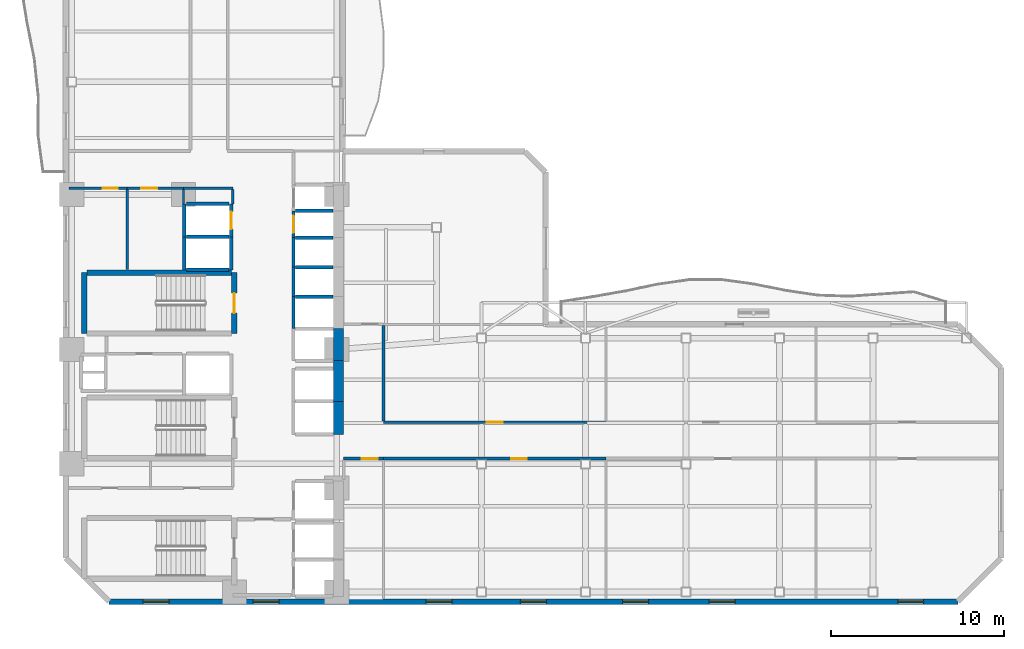
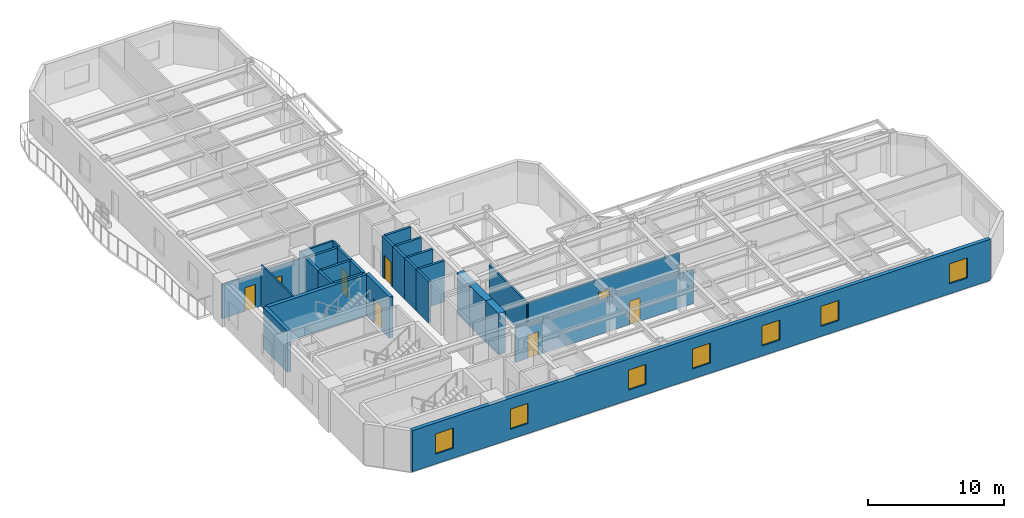
# One storey, part 4 of 10: 32 walls, 8 doors, 7 windows, 15 openings.
"""IFC4 building model written with IfcOpenShell, lengths in metres."""

import ifcopenshell
import ifcopenshell.guid

model = None  # the IFC model being written
_history = None  # IfcOwnerHistory: only IFC2X3 demands one
_inside = {}  # id of a spatial element -> (the spatial element, [elements in it])
_under = {}  # id of a project, library or spatial element -> (it, [spatial elements below it])
_declared = {}  # id of a project -> (the project, [libraries it declares])
_typed = {}  # id of a type object -> (the type object, [elements of that type])
_made_of = {}  # id of a material, layer set ... -> (it, [elements and type objects made of it])


def new_model(schema):
    """Start an empty IFC model of exactly this schema.

    Asked for "IFC4X3", IfcOpenShell would pick the latest addendum, in which some entities
    have other attributes; the version numbers below select the first issue.
    IFC2X3 requires an IfcOwnerHistory on every rooted entity: one is made here for all.
    """
    global model, _history
    if schema == "IFC4X3":
        model = ifcopenshell.file(schema_version=(4, 3, 0, 0))
    else:
        model = ifcopenshell.file(schema=schema)
    _inside.clear()
    _under.clear()
    _declared.clear()
    _typed.clear()
    _made_of.clear()
    _history = None
    if model.schema == "IFC2X3":
        org = make("IfcOrganization", Name="unknown")
        user = make(
            "IfcPersonAndOrganization",
            ThePerson=make("IfcPerson", FamilyName="unknown"),
            TheOrganization=org,
        )
        app = make(
            "IfcApplication",
            ApplicationDeveloper=org,
            Version="unknown",
            ApplicationFullName="unknown",
            ApplicationIdentifier="unknown",
        )
        _history = make(
            "IfcOwnerHistory",
            OwningUser=user,
            OwningApplication=app,
            ChangeAction="ADDED",
            CreationDate=0,
        )
    return model


def make(cls, **values):
    """One entity of the class cls with the attributes given. An attribute that is None is left unset."""
    return model.create_entity(
        cls, **{name: value for name, value in values.items() if value is not None}
    )


def rooted(cls, **values):
    """An entity with a GlobalId (a new one), such as an element, a storey or a relation."""
    return make(cls, GlobalId=ifcopenshell.guid.new(), OwnerHistory=_history, **values)


def si_unit(unit_type, name, prefix=None):
    """IfcSIUnit, for example si_unit("LENGTHUNIT", "METRE", prefix="MILLI")."""
    return make("IfcSIUnit", UnitType=unit_type, Prefix=prefix, Name=name)


def assignment(units):
    """IfcUnitAssignment: the units of a project."""
    return None if units is None else make("IfcUnitAssignment", Units=units)


def point(xyz):
    """IfcCartesianPoint."""
    return None if xyz is None else make("IfcCartesianPoint", Coordinates=xyz)


def direction(xyz):
    """IfcDirection."""
    return None if xyz is None else make("IfcDirection", DirectionRatios=xyz)


def frame(location, z_axis=None, x_axis=None):
    """IfcAxis2Placement3D, a coordinate frame: its origin and axes. An axis left out is left unset."""
    return make(
        "IfcAxis2Placement3D",
        Location=point(location),
        Axis=direction(z_axis),
        RefDirection=direction(x_axis),
    )


def frame_2d(location, x_axis=None):
    """IfcAxis2Placement2D, a coordinate frame in the plane: its origin and x axis."""
    return make(
        "IfcAxis2Placement2D", Location=point(location), RefDirection=direction(x_axis)
    )


def origin():
    """The frame at (0, 0, 0) with its axes left unset."""
    return frame((0.0, 0.0, 0.0))


def place(relative_to, where):
    """IfcLocalPlacement: puts the frame where relative to a parent placement (None: the world)."""
    return make(
        "IfcLocalPlacement", PlacementRelTo=relative_to, RelativePlacement=where
    )


def context(
    kind, dimensions, precision=None, world=None, true_north=None, identifier=None
):
    """IfcGeometricRepresentationContext, for example the 3D "Model" context."""
    return make(
        "IfcGeometricRepresentationContext",
        ContextIdentifier=identifier,
        ContextType=kind,
        CoordinateSpaceDimension=dimensions,
        Precision=precision,
        WorldCoordinateSystem=world,
        TrueNorth=true_north,
    )


def subcontext(parent, identifier, kind, view, scale=None):
    """IfcGeometricRepresentationSubContext, for example "Body" below "Model"."""
    return make(
        "IfcGeometricRepresentationSubContext",
        ContextIdentifier=identifier,
        ContextType=kind,
        ParentContext=parent,
        TargetScale=scale,
        TargetView=view,
    )


def project(units=None, contexts=None):
    """IfcProject with its units and contexts."""
    return rooted(
        "IfcProject",
        Name="project",
        RepresentationContexts=contexts,
        UnitsInContext=assignment(units),
    )


def spatial(cls, under=None, at=None, **own):
    """A site, building, storey or space (cls), placed at a placement, below another one or the project."""
    s = rooted(cls, ObjectPlacement=at, **own)
    if under is not None:
        _under.setdefault(under.id(), (under, []))[1].append(s)
    return s


def profile(cls, at=None, kind="AREA", **sizes):
    """A parametric profile (cls). Its sizes go by their IFC names, for example OverallWidth=200.0."""
    return make(cls, ProfileType=kind, Position=at, **sizes)


def rectangle(**sizes):
    """IfcRectangleProfileDef."""
    return profile("IfcRectangleProfileDef", **sizes)


def extrude(swept, where, along, depth):
    """IfcExtrudedAreaSolid: the profile swept, set in the frame where, extruded along a direction by depth."""
    return make(
        "IfcExtrudedAreaSolid",
        SweptArea=swept,
        Position=where,
        ExtrudedDirection=direction(along),
        Depth=depth,
    )


def shape(context_of_items, identifier, shape_type, items):
    """IfcShapeRepresentation: the items that make up one representation, for example the "Body"."""
    return make(
        "IfcShapeRepresentation",
        ContextOfItems=context_of_items,
        RepresentationIdentifier=identifier,
        RepresentationType=shape_type,
        Items=items,
    )


def material(Name=None, Category=None):
    """IfcMaterial."""
    return make("IfcMaterial", Name=Name, Category=Category)


def layer(
    of_material, thickness, ventilated=None, Name=None, Category=None, Priority=None
):
    """IfcMaterialLayer: one layer of a wall or slab, of a material (None: an air gap)."""
    return make(
        "IfcMaterialLayer",
        Material=of_material,
        LayerThickness=thickness,
        IsVentilated=ventilated,
        Name=Name,
        Category=Category,
        Priority=Priority,
    )


def layer_set(layers, Name=None):
    """IfcMaterialLayerSet."""
    return make("IfcMaterialLayerSet", MaterialLayers=layers, LayerSetName=Name)


def made_of(thing, what):
    """Note that an element or type object is made of a material, layer set ...; save() writes the relation."""
    if what is not None:
        _made_of.setdefault(what.id(), (what, []))[1].append(thing)
    return thing


def type_object(cls, material=None, **own):
    """A type object (cls), such as IfcWallType, which elements share."""
    return made_of(rooted(cls, **own), material)


def element(
    cls,
    number,
    at=None,
    inside=None,
    cuts=None,
    type_object=None,
    material=None,
    context=None,
    identifier="Body",
    shape_type=None,
    held_by="IfcProductDefinitionShape",
    body=None,
    shapes=None,
    **own,
):
    """One element of the class cls, such as IfcWall. Its Tag is "e" and its number.

    at: its placement. inside: the storey or other place that contains it. cuts: it is an
    opening in that element (IfcRelVoidsElement). A single representation is given by context,
    identifier, shape_type and body (its items); several are given by shapes. held_by: the class
    of the entity that holds the representations. save() writes the other relations.
    """
    e = rooted(cls, Tag="e%d" % number, ObjectPlacement=at, **own)
    if body is not None:
        shapes = [shape(context, identifier, shape_type, body)]
    if shapes is not None:
        e.Representation = make(held_by, Representations=shapes)
    if inside is not None:
        _inside.setdefault(inside.id(), (inside, []))[1].append(e)
    if cuts is not None:
        rooted(
            "IfcRelVoidsElement", RelatingBuildingElement=cuts, RelatedOpeningElement=e
        )
    if type_object is not None:
        _typed.setdefault(type_object.id(), (type_object, []))[1].append(e)
    return made_of(e, material)


def fill(opening, filler):
    """IfcRelFillsElement: the door or window that sits in an opening."""
    return rooted(
        "IfcRelFillsElement",
        RelatingOpeningElement=opening,
        RelatedBuildingElement=filler,
    )


def aggregate(whole, parts):
    """IfcRelAggregates: a whole, such as a stair, and the parts it consists of."""
    return rooted("IfcRelAggregates", RelatingObject=whole, RelatedObjects=parts)


def save(model, path):
    """Write the relations noted so far, then the file.

    IfcRelAggregates (storeys below a building ...), IfcRelContainedInSpatialStructure (elements
    in a storey), IfcRelDefinesByType, IfcRelAssociatesMaterial and IfcRelDeclares: one each for
    every whole, place, type object, material and project.
    """
    for whole, parts in _under.values():
        aggregate(whole, parts)
    for where, things in _inside.values():
        rooted(
            "IfcRelContainedInSpatialStructure",
            RelatedElements=things,
            RelatingStructure=where,
        )
    for kind, things in _typed.values():
        rooted("IfcRelDefinesByType", RelatedObjects=things, RelatingType=kind)
    for what, things in _made_of.values():
        rooted("IfcRelAssociatesMaterial", RelatedObjects=things, RelatingMaterial=what)
    for by, libraries in _declared.values():
        rooted("IfcRelDeclares", RelatingContext=by, RelatedDefinitions=libraries)
    model.write(path)


model = new_model("IFC4")

# Units and contexts
model_context = context("Model", 3, precision=1e-05, world=origin(), true_north=direction((0.0, 1.0)))
body_context = subcontext(model_context, "Body", "Model", "MODEL_VIEW")
ifc_project = project(units=[si_unit("LENGTHUNIT", "METRE"), si_unit("AREAUNIT", "SQUARE_METRE"), si_unit("VOLUMEUNIT", "CUBIC_METRE"), si_unit("PLANEANGLEUNIT", "RADIAN"), si_unit("MASSUNIT", "GRAM", prefix="KILO")], contexts=[model_context])

# Site, building, storey
site_placement = place(None, origin())
site = spatial("IfcSite", under=ifc_project, at=site_placement, CompositionType="ELEMENT")
building_placement = place(site_placement, origin())
building = spatial("IfcBuilding", under=site, at=building_placement, Name="Mawjaban Terraces University", CompositionType="ELEMENT")
storey_placement = place(building_placement, frame((0.0, 0.0, 73.89990234375)))
storey = spatial("IfcBuildingStorey", under=building, at=storey_placement, Name="L17", CompositionType="ELEMENT", Elevation=73.89990234375)

# Walls
ifc_material_1 = material(Name="Concrete C70/85", Category="concrete")
ifc_layer_1 = layer(ifc_material_1, 0.60009765625)
ifc_layer_set_1 = layer_set([ifc_layer_1], Name="Concrete C70/85")
wall_type_1 = type_object("IfcWallType", Name="CoreShearWall_600", PredefinedType="SHEAR", material=ifc_layer_set_1)
wall_1_placement = place(storey_placement, frame((37.75, 9.64990234375, 0.0), z_axis=(0.0, 0.0, 1.0), x_axis=(0.0, 1.0, 0.0)))
element("IfcWall", 1, at=wall_1_placement, inside=storey, type_object=wall_type_1, Name="L17 Lift PL-H1 Hoistway Wall East", PredefinedType="SHEAR", context=body_context, shape_type="SweptSolid", body=[
    extrude(rectangle(XDim=1.900146484375, YDim=0.60009765625, at=frame_2d((0.9501953125, 0.0))), origin(), (0.0, 0.0, 1.0), 3.690185546875),
])
wall_2_placement = place(storey_placement, frame((37.75, 11.550048828125, 0.0), z_axis=(0.0, 0.0, 1.0), x_axis=(0.0, 1.0, 0.0)))
element("IfcWall", 2, at=wall_2_placement, inside=storey, type_object=wall_type_1, Name="L17 Lift PL-H2 Hoistway Wall East", PredefinedType="SHEAR", context=body_context, shape_type="SweptSolid", body=[
    extrude(rectangle(XDim=2.349853515625, YDim=0.60009765625, at=frame_2d((1.1748046875, 0.0))), origin(), (0.0, 0.0, 1.0), 3.690185546875),
])
wall_3_placement = place(storey_placement, frame((37.75, 13.89990234375, 0.0), z_axis=(0.0, 0.0, 1.0), x_axis=(0.0, 1.0, 0.0)))
element("IfcWall", 3, at=wall_3_placement, inside=storey, type_object=wall_type_1, Name="L17 Lift OL-1 Hoistway Wall East", PredefinedType="SHEAR", context=body_context, shape_type="SweptSolid", body=[
    extrude(rectangle(XDim=1.85009765625, YDim=0.60009765625, at=frame_2d((0.925048828125, 0.0))), origin(), (0.0, 0.0, 1.0), 3.690185546875),
])

# Wall, opening, door
ifc_material_2 = material(Name="Fire-rated gypsum board on steel stud", Category="steel")
ifc_layer_2 = layer(ifc_material_2, 0.159912109375)
ifc_layer_set_2 = layer_set([ifc_layer_2], Name="Fire-rated gypsum board on steel stud")
wall_type_2 = type_object("IfcWallType", Name="CorridorPartition_160", PredefinedType="PARTITIONING", material=ifc_layer_set_2)
wall_4_placement = place(storey_placement, frame((25.550048828125, 23.85009765625, 0.0), z_axis=(0.0, 0.0, 1.0), x_axis=(-1.0, 0.0, 0.0)))
wall_4 = element("IfcWall", 4, at=wall_4_placement, inside=storey, type_object=wall_type_2, Name="L17 Female Toilet Partition 3", PredefinedType="PARTITIONING", context=body_context, shape_type="SweptSolid", body=[
    extrude(rectangle(XDim=3.35009765625, YDim=0.159912109375, at=frame_2d((1.675048828125, 0.0))), origin(), (0.0, 0.0, 1.0), 3.05517578125),
])
opening_1_placement = place(wall_4_placement, frame((0.534912109375, 0.0, 0.0)))
opening_1 = element("IfcOpeningElement", 5, at=opening_1_placement, cuts=wall_4, Name="Opening ID-088", PredefinedType="OPENING", context=body_context, shape_type="SweptSolid", body=[
    extrude(rectangle(XDim=0.8798828125, YDim=2.10009765625, at=frame_2d((0.43994140625, 1.050048828125))), frame((0.0, 0.08984375, 0.0), z_axis=(0.0, -1.0, 0.0), x_axis=(1.0, 0.0, 0.0)), (0.0, 0.0, 1.0), 0.179931640625),
])
ifc_material_3 = material(Name="Powder-coated steel frame and solid acoustic timber leaf", Category="steel")
door_type_1 = type_object("IfcDoorType", Name="ToiletDoor_880x2100", OperationType="NOTDEFINED", PredefinedType="DOOR", material=ifc_material_3)
door_1_placement = place(opening_1_placement, origin())
door_1 = element("IfcDoor", 6, at=door_1_placement, inside=storey, type_object=door_type_1, Name="L17 Female Toilet Door", OperationType="SINGLE_SWING_LEFT", OverallHeight=2.10009765625, OverallWidth=0.8798828125, PredefinedType="DOOR", context=body_context, shape_type="SweptSolid", body=[
    extrude(rectangle(XDim=0.8798828125, YDim=2.10009765625, at=frame_2d((0.43994140625, 1.050048828125))), frame((0.0, 0.02490234375, 0.0), z_axis=(0.0, -1.0, 0.0), x_axis=(1.0, 0.0, 0.0)), (0.0, 0.0, 1.0), 0.050048828125),
])
fill(opening_1, door_1)

wall_5_placement = place(storey_placement, frame((28.800048828125, 23.85009765625, 0.0), z_axis=(0.0, 0.0, 1.0), x_axis=(-1.0, 0.0, 0.0)))
wall_5 = element("IfcWall", 7, at=wall_5_placement, inside=storey, type_object=wall_type_2, Name="L17 Staff Tea Pantry Partition 5", PredefinedType="PARTITIONING", context=body_context, shape_type="SweptSolid", body=[
    extrude(rectangle(XDim=3.25, YDim=0.159912109375, at=frame_2d((1.625, 0.0))), origin(), (0.0, 0.0, 1.0), 3.05517578125),
])
opening_2_placement = place(wall_5_placement, frame((1.52490234375, 0.0, 0.0)))
opening_2 = element("IfcOpeningElement", 8, at=opening_2_placement, cuts=wall_5, Name="Opening ID-090", PredefinedType="OPENING", context=body_context, shape_type="SweptSolid", body=[
    extrude(rectangle(XDim=0.89990234375, YDim=2.10009765625, at=frame_2d((0.449951171875, 1.050048828125))), frame((0.0, 0.08984375, 0.0), z_axis=(0.0, -1.0, 0.0), x_axis=(1.0, 0.0, 0.0)), (0.0, 0.0, 1.0), 0.179931640625),
])
door_type_2 = type_object("IfcDoorType", Name="OfficeDoor_900x2100", OperationType="NOTDEFINED", PredefinedType="DOOR", material=ifc_material_3)
door_2_placement = place(opening_2_placement, origin())
door_2 = element("IfcDoor", 9, at=door_2_placement, inside=storey, type_object=door_type_2, Name="L17 Staff Tea Pantry Door", OperationType="SINGLE_SWING_RIGHT", OverallHeight=2.10009765625, OverallWidth=0.89990234375, PredefinedType="DOOR", context=body_context, shape_type="SweptSolid", body=[
    extrude(rectangle(XDim=0.89990234375, YDim=2.10009765625, at=frame_2d((0.449951171875, 1.050048828125))), frame((0.0, 0.02490234375, 0.0), z_axis=(0.0, -1.0, 0.0), x_axis=(1.0, 0.0, 0.0)), (0.0, 0.0, 1.0), 0.050048828125),
])
fill(opening_2, door_2)

# Wall
wall_6_placement = place(storey_placement, frame((28.800048828125, 23.85009765625, 0.0), z_axis=(0.0, 0.0, 1.0), x_axis=(1.0, 0.0, 0.0)))
element("IfcWall", 10, at=wall_6_placement, inside=storey, type_object=wall_type_2, Name="L17 North Core Cross-Corridor Partition 6", PredefinedType="PARTITIONING", context=body_context, shape_type="SweptSolid", body=[
    extrude(rectangle(XDim=2.849853515625, YDim=0.159912109375, at=frame_2d((1.4248046875, 0.0))), origin(), (0.0, 0.0, 1.0), 3.690185546875),
])

# Wall, opening, door
wall_7_placement = place(storey_placement, frame((38.050048828125, 8.25, 0.0), z_axis=(0.0, 0.0, 1.0), x_axis=(1.0, 0.0, 0.0)))
wall_7 = element("IfcWall", 11, at=wall_7_placement, inside=storey, type_object=wall_type_2, Name="L17 East Academic Corridor Vestibule Partition 13", PredefinedType="PARTITIONING", context=body_context, shape_type="SweptSolid", body=[
    extrude(rectangle(XDim=2.300048828125, YDim=0.159912109375, at=frame_2d((1.14990234375, 0.0))), origin(), (0.0, 0.0, 1.0), 3.05517578125),
])
opening_3_placement = place(wall_7_placement, frame((1.050048828125, 0.0, 0.0)))
opening_3 = element("IfcOpeningElement", 12, at=opening_3_placement, cuts=wall_7, Name="Opening ID-090", PredefinedType="OPENING", context=body_context, shape_type="SweptSolid", body=[
    extrude(rectangle(XDim=0.89990234375, YDim=2.10009765625, at=frame_2d((0.449951171875, 1.050048828125))), frame((0.0, 0.08984375, 0.0), z_axis=(0.0, -1.0, 0.0), x_axis=(1.0, 0.0, 0.0)), (0.0, 0.0, 1.0), 0.179931640625),
])
door_3_placement = place(opening_3_placement, origin())
door_3 = element("IfcDoor", 13, at=door_3_placement, inside=storey, type_object=door_type_2, Name="L17 Collaborative Study Room 1 Door", OperationType="SINGLE_SWING_LEFT", OverallHeight=2.10009765625, OverallWidth=0.89990234375, PredefinedType="DOOR", context=body_context, shape_type="SweptSolid", body=[
    extrude(rectangle(XDim=0.89990234375, YDim=2.10009765625, at=frame_2d((0.449951171875, 1.050048828125))), frame((0.0, 0.02490234375, 0.0), z_axis=(0.0, -1.0, 0.0), x_axis=(1.0, 0.0, 0.0)), (0.0, 0.0, 1.0), 0.050048828125),
])
fill(opening_3, door_3)

wall_8_placement = place(storey_placement, frame((40.35009765625, 8.25, 0.0), z_axis=(0.0, 0.0, 1.0), x_axis=(1.0, 0.0, 0.0)))
wall_8 = element("IfcWall", 14, at=wall_8_placement, inside=storey, type_object=wall_type_2, Name="L17 East Academic Spine Corridor Partition 14", PredefinedType="PARTITIONING", context=body_context, shape_type="SweptSolid", body=[
    extrude(rectangle(XDim=12.829833984375, YDim=0.159912109375, at=frame_2d((6.4150390625, 0.0))), origin(), (0.0, 0.0, 1.0), 3.05517578125),
])
opening_4_placement = place(wall_8_placement, frame((7.364990234375, 0.0, 0.0)))
opening_4 = element("IfcOpeningElement", 15, at=opening_4_placement, cuts=wall_8, Name="Opening ID-090", PredefinedType="OPENING", context=body_context, shape_type="SweptSolid", body=[
    extrude(rectangle(XDim=0.89990234375, YDim=2.10009765625, at=frame_2d((0.449951171875, 1.050048828125))), frame((0.0, 0.08984375, 0.0), z_axis=(0.0, -1.0, 0.0), x_axis=(1.0, 0.0, 0.0)), (0.0, 0.0, 1.0), 0.179931640625),
])
door_4_placement = place(opening_4_placement, origin())
door_4 = element("IfcDoor", 16, at=door_4_placement, inside=storey, type_object=door_type_2, Name="L17 Graduate Study Lounge 2 Door", OperationType="SINGLE_SWING_RIGHT", OverallHeight=2.10009765625, OverallWidth=0.89990234375, PredefinedType="DOOR", context=body_context, shape_type="SweptSolid", body=[
    extrude(rectangle(XDim=0.89990234375, YDim=2.10009765625, at=frame_2d((0.449951171875, 1.050048828125))), frame((0.0, 0.02490234375, 0.0), z_axis=(0.0, -1.0, 0.0), x_axis=(1.0, 0.0, 0.0)), (0.0, 0.0, 1.0), 0.050048828125),
])
fill(opening_4, door_4)

wall_9_placement = place(storey_placement, frame((53.179931640625, 10.35009765625, 0.0), z_axis=(0.0, 0.0, 1.0), x_axis=(-1.0, 0.0, 0.0)))
wall_9 = element("IfcWall", 17, at=wall_9_placement, inside=storey, type_object=wall_type_2, Name="L17 East Academic Spine Corridor Partition 18", PredefinedType="PARTITIONING", context=body_context, shape_type="SweptSolid", body=[
    extrude(rectangle(XDim=12.829833984375, YDim=0.159912109375, at=frame_2d((6.4150390625, 0.0))), origin(), (0.0, 0.0, 1.0), 3.277099609375),
])
opening_5_placement = place(wall_9_placement, frame((5.965087890625, 0.0, 0.0)))
opening_5 = element("IfcOpeningElement", 18, at=opening_5_placement, cuts=wall_9, Name="Opening ID-090", PredefinedType="OPENING", context=body_context, shape_type="SweptSolid", body=[
    extrude(rectangle(XDim=0.89990234375, YDim=2.10009765625, at=frame_2d((0.449951171875, 1.050048828125))), frame((0.0, 0.08984375, 0.0), z_axis=(0.0, -1.0, 0.0), x_axis=(1.0, 0.0, 0.0)), (0.0, 0.0, 1.0), 0.179931640625),
])
door_5_placement = place(opening_5_placement, origin())
door_5 = element("IfcDoor", 19, at=door_5_placement, inside=storey, type_object=door_type_2, Name="L17 Collaborative Study Room 3 Door", OperationType="SINGLE_SWING_LEFT", OverallHeight=2.10009765625, OverallWidth=0.89990234375, PredefinedType="DOOR", context=body_context, shape_type="SweptSolid", body=[
    extrude(rectangle(XDim=0.89990234375, YDim=2.10009765625, at=frame_2d((0.449951171875, 1.050048828125))), frame((0.0, 0.02490234375, 0.0), z_axis=(0.0, -1.0, 0.0), x_axis=(1.0, 0.0, 0.0)), (0.0, 0.0, 1.0), 0.050048828125),
])
fill(opening_5, door_5)

# Walls
wall_10_placement = place(storey_placement, frame((31.64990234375, 23.77490234375, 0.0), z_axis=(0.0, 0.0, 1.0), x_axis=(0.0, -1.0, 0.0)))
element("IfcWall", 20, at=wall_10_placement, inside=storey, type_object=wall_type_2, Name="L17 Passenger Lift Lobby Partition 29", PredefinedType="PARTITIONING", context=body_context, shape_type="SweptSolid", body=[
    extrude(rectangle(XDim=0.824951171875, YDim=0.159912109375, at=frame_2d((0.41259765625, 0.0))), origin(), (0.0, 0.0, 1.0), 3.690185546875),
])
wall_11_placement = place(storey_placement, frame((40.35009765625, 10.425048828125, 0.0), z_axis=(0.0, 0.0, 1.0), x_axis=(0.0, 1.0, 0.0)))
element("IfcWall", 21, at=wall_11_placement, inside=storey, type_object=wall_type_2, Name="L17 East Academic Corridor Vestibule Partition 34", PredefinedType="PARTITIONING", context=body_context, shape_type="SweptSolid", body=[
    extrude(rectangle(XDim=5.5, YDim=0.159912109375, at=frame_2d((2.75, 0.0))), origin(), (0.0, 0.0, 1.0), 3.277099609375),
])

# Wall, openings, windows
ifc_material_4 = material(Name="Insulated terracotta rainscreen on concrete backup C40/50", Category="masonry")
ifc_layer_3 = layer(ifc_material_4, 0.320068359375)
ifc_layer_set_3 = layer_set([ifc_layer_3], Name="Insulated terracotta rainscreen on concrete backup C40/50")
wall_type_3 = type_object("IfcWallType", Name="ExtTerracottaWall_320", PredefinedType="SOLIDWALL", material=ifc_layer_set_3)
wall_12_placement = place(storey_placement, frame((24.5, 0.0, 0.0), z_axis=(0.0, 0.0, 1.0), x_axis=(1.0, 0.0, 0.0)))
wall_12 = element("IfcWall", 22, at=wall_12_placement, inside=storey, type_object=wall_type_3, Name="L17 Exterior Terracotta Wall 1", PredefinedType="SOLIDWALL", context=body_context, shape_type="SweptSolid", body=[
    extrude(rectangle(XDim=49.0, YDim=0.320068359375, at=frame_2d((24.5, 0.0))), origin(), (0.0, 0.0, 1.0), 3.690185546875),
])
opening_6_placement = place(wall_12_placement, frame((1.971923828125, 0.0, 0.89990234375)))
opening_6 = element("IfcOpeningElement", 23, at=opening_6_placement, cuts=wall_12, Name="Opening W-06", PredefinedType="OPENING", context=body_context, shape_type="SweptSolid", body=[
    extrude(rectangle(XDim=1.5, YDim=1.800048828125, at=frame_2d((0.75, 0.89990234375))), frame((0.0, 0.169921875, 0.0), z_axis=(0.0, -1.0, 0.0), x_axis=(1.0, 0.0, 0.0)), (0.0, 0.0, 1.0), 0.340087890625),
])
opening_7_placement = place(wall_12_placement, frame((8.31689453125, 0.0, 0.89990234375)))
opening_7 = element("IfcOpeningElement", 24, at=opening_7_placement, cuts=wall_12, Name="Opening W-06", PredefinedType="OPENING", context=body_context, shape_type="SweptSolid", body=[
    extrude(rectangle(XDim=1.5, YDim=1.800048828125, at=frame_2d((0.75, 0.89990234375))), frame((0.0, 0.169921875, 0.0), z_axis=(0.0, -1.0, 0.0), x_axis=(1.0, 0.0, 0.0)), (0.0, 0.0, 1.0), 0.340087890625),
])
opening_8_placement = place(wall_12_placement, frame((18.305908203125, 0.0, 0.89990234375)))
opening_8 = element("IfcOpeningElement", 25, at=opening_8_placement, cuts=wall_12, Name="Opening W-06", PredefinedType="OPENING", context=body_context, shape_type="SweptSolid", body=[
    extrude(rectangle(XDim=1.5, YDim=1.800048828125, at=frame_2d((0.75, 0.89990234375))), frame((0.0, 0.169921875, 0.0), z_axis=(0.0, -1.0, 0.0), x_axis=(1.0, 0.0, 0.0)), (0.0, 0.0, 1.0), 0.340087890625),
])
opening_9_placement = place(wall_12_placement, frame((23.75, 0.0, 0.89990234375)))
opening_9 = element("IfcOpeningElement", 26, at=opening_9_placement, cuts=wall_12, Name="Opening W-06", PredefinedType="OPENING", context=body_context, shape_type="SweptSolid", body=[
    extrude(rectangle(XDim=1.5, YDim=1.800048828125, at=frame_2d((0.75, 0.89990234375))), frame((0.0, 0.169921875, 0.0), z_axis=(0.0, -1.0, 0.0), x_axis=(1.0, 0.0, 0.0)), (0.0, 0.0, 1.0), 0.340087890625),
])
opening_10_placement = place(wall_12_placement, frame((29.64404296875, 0.0, 0.89990234375)))
opening_10 = element("IfcOpeningElement", 27, at=opening_10_placement, cuts=wall_12, Name="Opening W-06", PredefinedType="OPENING", context=body_context, shape_type="SweptSolid", body=[
    extrude(rectangle(XDim=1.5, YDim=1.800048828125, at=frame_2d((0.75, 0.89990234375))), frame((0.0, 0.169921875, 0.0), z_axis=(0.0, -1.0, 0.0), x_axis=(1.0, 0.0, 0.0)), (0.0, 0.0, 1.0), 0.340087890625),
])
opening_11_placement = place(wall_12_placement, frame((34.638916015625, 0.0, 0.89990234375)))
opening_11 = element("IfcOpeningElement", 28, at=opening_11_placement, cuts=wall_12, Name="Opening W-06", PredefinedType="OPENING", context=body_context, shape_type="SweptSolid", body=[
    extrude(rectangle(XDim=1.5, YDim=1.800048828125, at=frame_2d((0.75, 0.89990234375))), frame((0.0, 0.169921875, 0.0), z_axis=(0.0, -1.0, 0.0), x_axis=(1.0, 0.0, 0.0)), (0.0, 0.0, 1.0), 0.340087890625),
])
opening_12_placement = place(wall_12_placement, frame((45.528076171875, 0.0, 0.89990234375)))
opening_12 = element("IfcOpeningElement", 29, at=opening_12_placement, cuts=wall_12, Name="Opening W-06", PredefinedType="OPENING", context=body_context, shape_type="SweptSolid", body=[
    extrude(rectangle(XDim=1.5, YDim=1.800048828125, at=frame_2d((0.75, 0.89990234375))), frame((0.0, 0.169921875, 0.0), z_axis=(0.0, -1.0, 0.0), x_axis=(1.0, 0.0, 0.0)), (0.0, 0.0, 1.0), 0.340087890625),
])
ifc_material_5 = material(Name="Low-E solar-control double glazing in thermally broken aluminium frame", Category="aluminium")
window_type = type_object("IfcWindowType", Name="Win_1500x1800", PartitioningType="SINGLE_PANEL", PredefinedType="WINDOW", material=ifc_material_5)
window_1_placement = place(opening_6_placement, origin())
window_1 = element("IfcWindow", 30, at=window_1_placement, inside=storey, type_object=window_type, Name="L17 Facade Window 1.1", OverallHeight=1.800048828125, OverallWidth=1.5, PartitioningType="SINGLE_PANEL", PredefinedType="WINDOW", context=body_context, shape_type="SweptSolid", body=[
    extrude(rectangle(XDim=1.5, YDim=1.800048828125, at=frame_2d((0.75, 0.89990234375))), frame((0.0, 0.030029296875, 0.0), z_axis=(0.0, -1.0, 0.0), x_axis=(1.0, 0.0, 0.0)), (0.0, 0.0, 1.0), 0.06005859375),
])
fill(opening_6, window_1)
window_2_placement = place(opening_7_placement, origin())
window_2 = element("IfcWindow", 31, at=window_2_placement, inside=storey, type_object=window_type, Name="L17 Facade Window 1.2", OverallHeight=1.800048828125, OverallWidth=1.5, PartitioningType="SINGLE_PANEL", PredefinedType="WINDOW", context=body_context, shape_type="SweptSolid", body=[
    extrude(rectangle(XDim=1.5, YDim=1.800048828125, at=frame_2d((0.75, 0.89990234375))), frame((0.0, 0.030029296875, 0.0), z_axis=(0.0, -1.0, 0.0), x_axis=(1.0, 0.0, 0.0)), (0.0, 0.0, 1.0), 0.06005859375),
])
fill(opening_7, window_2)
window_3_placement = place(opening_8_placement, origin())
window_3 = element("IfcWindow", 32, at=window_3_placement, inside=storey, type_object=window_type, Name="L17 Facade Window 1.4", OverallHeight=1.800048828125, OverallWidth=1.5, PartitioningType="SINGLE_PANEL", PredefinedType="WINDOW", context=body_context, shape_type="SweptSolid", body=[
    extrude(rectangle(XDim=1.5, YDim=1.800048828125, at=frame_2d((0.75, 0.89990234375))), frame((0.0, 0.030029296875, 0.0), z_axis=(0.0, -1.0, 0.0), x_axis=(1.0, 0.0, 0.0)), (0.0, 0.0, 1.0), 0.06005859375),
])
fill(opening_8, window_3)
window_4_placement = place(opening_9_placement, origin())
window_4 = element("IfcWindow", 33, at=window_4_placement, inside=storey, type_object=window_type, Name="L17 Facade Window 1.5", OverallHeight=1.800048828125, OverallWidth=1.5, PartitioningType="SINGLE_PANEL", PredefinedType="WINDOW", context=body_context, shape_type="SweptSolid", body=[
    extrude(rectangle(XDim=1.5, YDim=1.800048828125, at=frame_2d((0.75, 0.89990234375))), frame((0.0, 0.030029296875, 0.0), z_axis=(0.0, -1.0, 0.0), x_axis=(1.0, 0.0, 0.0)), (0.0, 0.0, 1.0), 0.06005859375),
])
fill(opening_9, window_4)
window_5_placement = place(opening_10_placement, origin())
window_5 = element("IfcWindow", 34, at=window_5_placement, inside=storey, type_object=window_type, Name="L17 Facade Window 1.6", OverallHeight=1.800048828125, OverallWidth=1.5, PartitioningType="SINGLE_PANEL", PredefinedType="WINDOW", context=body_context, shape_type="SweptSolid", body=[
    extrude(rectangle(XDim=1.5, YDim=1.800048828125, at=frame_2d((0.75, 0.89990234375))), frame((0.0, 0.030029296875, 0.0), z_axis=(0.0, -1.0, 0.0), x_axis=(1.0, 0.0, 0.0)), (0.0, 0.0, 1.0), 0.06005859375),
])
fill(opening_10, window_5)
window_6_placement = place(opening_11_placement, origin())
window_6 = element("IfcWindow", 35, at=window_6_placement, inside=storey, type_object=window_type, Name="L17 Facade Window 1.7", OverallHeight=1.800048828125, OverallWidth=1.5, PartitioningType="SINGLE_PANEL", PredefinedType="WINDOW", context=body_context, shape_type="SweptSolid", body=[
    extrude(rectangle(XDim=1.5, YDim=1.800048828125, at=frame_2d((0.75, 0.89990234375))), frame((0.0, 0.030029296875, 0.0), z_axis=(0.0, -1.0, 0.0), x_axis=(1.0, 0.0, 0.0)), (0.0, 0.0, 1.0), 0.06005859375),
])
fill(opening_11, window_6)
window_7_placement = place(opening_12_placement, origin())
window_7 = element("IfcWindow", 36, at=window_7_placement, inside=storey, type_object=window_type, Name="L17 Facade Window 1.9", OverallHeight=1.800048828125, OverallWidth=1.5, PartitioningType="SINGLE_PANEL", PredefinedType="WINDOW", context=body_context, shape_type="SweptSolid", body=[
    extrude(rectangle(XDim=1.5, YDim=1.800048828125, at=frame_2d((0.75, 0.89990234375))), frame((0.0, 0.030029296875, 0.0), z_axis=(0.0, -1.0, 0.0), x_axis=(1.0, 0.0, 0.0)), (0.0, 0.0, 1.0), 0.06005859375),
])
fill(opening_12, window_7)

# Walls
ifc_material_6 = material(Name="Concrete C40/50", Category="concrete")
ifc_layer_4 = layer(ifc_material_6, 0.199951171875)
ifc_layer_set_4 = layer_set([ifc_layer_4], Name="Concrete C40/50")
wall_type_4 = type_object("IfcWallType", Name="FireLobbyWall_200", PredefinedType="SOLIDWALL", material=ifc_layer_set_4)
wall_13_placement = place(storey_placement, frame((35.14990234375, 17.60009765625, 0.0), z_axis=(0.0, 0.0, 1.0), x_axis=(0.0, -1.0, 0.0)))
element("IfcWall", 37, at=wall_13_placement, inside=storey, type_object=wall_type_4, Name="L17 Lift OL-2 Hoistway Wall West", PredefinedType="SOLIDWALL", context=body_context, shape_type="SweptSolid", body=[
    extrude(rectangle(XDim=1.85009765625, YDim=0.199951171875, at=frame_2d((0.925048828125, 0.0))), origin(), (0.0, 0.0, 1.0), 3.690185546875),
])
wall_14_placement = place(storey_placement, frame((37.419921875, 17.60009765625, 0.0), z_axis=(0.0, 0.0, 1.0), x_axis=(-1.0, 0.0, 0.0)))
element("IfcWall", 38, at=wall_14_placement, inside=storey, type_object=wall_type_4, Name="L17 Lift OL-2 Hoistway Wall North", PredefinedType="SOLIDWALL", context=body_context, shape_type="SweptSolid", body=[
    extrude(rectangle(XDim=2.139892578125, YDim=0.199951171875, at=frame_2d((1.06982421875, 0.0))), origin(), (0.0, 0.0, 1.0), 3.690185546875),
])
wall_15_placement = place(storey_placement, frame((35.14990234375, 19.300048828125, 0.0), z_axis=(0.0, 0.0, 1.0), x_axis=(0.0, -1.0, 0.0)))
element("IfcWall", 39, at=wall_15_placement, inside=storey, type_object=wall_type_4, Name="L17 Lift PL-M1 Hoistway Wall West", PredefinedType="SOLIDWALL", context=body_context, shape_type="SweptSolid", body=[
    extrude(rectangle(XDim=1.699951171875, YDim=0.199951171875, at=frame_2d((0.85009765625, 0.0))), origin(), (0.0, 0.0, 1.0), 3.690185546875),
])
wall_16_placement = place(storey_placement, frame((37.419921875, 19.300048828125, 0.0), z_axis=(0.0, 0.0, 1.0), x_axis=(-1.0, 0.0, 0.0)))
element("IfcWall", 40, at=wall_16_placement, inside=storey, type_object=wall_type_4, Name="L17 Lift PL-M1 Hoistway Wall North", PredefinedType="SOLIDWALL", context=body_context, shape_type="SweptSolid", body=[
    extrude(rectangle(XDim=2.139892578125, YDim=0.199951171875, at=frame_2d((1.06982421875, 0.0))), origin(), (0.0, 0.0, 1.0), 3.690185546875),
])
wall_17_placement = place(storey_placement, frame((35.14990234375, 21.0, 0.0), z_axis=(0.0, 0.0, 1.0), x_axis=(0.0, -1.0, 0.0)))
element("IfcWall", 41, at=wall_17_placement, inside=storey, type_object=wall_type_4, Name="L17 Lift PL-M2 Hoistway Wall West", PredefinedType="SOLIDWALL", context=body_context, shape_type="SweptSolid", body=[
    extrude(rectangle(XDim=1.699951171875, YDim=0.199951171875, at=frame_2d((0.85009765625, 0.0))), origin(), (0.0, 0.0, 1.0), 3.690185546875),
])
wall_18_placement = place(storey_placement, frame((37.419921875, 21.0, 0.0), z_axis=(0.0, 0.0, 1.0), x_axis=(-1.0, 0.0, 0.0)))
element("IfcWall", 42, at=wall_18_placement, inside=storey, type_object=wall_type_4, Name="L17 Lift PL-M2 Hoistway Wall North", PredefinedType="SOLIDWALL", context=body_context, shape_type="SweptSolid", body=[
    extrude(rectangle(XDim=2.139892578125, YDim=0.199951171875, at=frame_2d((1.06982421875, 0.0))), origin(), (0.0, 0.0, 1.0), 3.690185546875),
])
for number, where, z_axis, x_axis, name in (
    (43, (28.85009765625, 21.050048828125, 0.0), (0.0, 0.0, 1.0), (0.0, -1.0, 0.0), "L17 Lift PL-M3 Hoistway Wall West"),
    (44, (31.550048828125, 19.14990234375, 0.0), (0.0, 0.0, 1.0), (0.0, 1.0, 0.0), "L17 Lift PL-M3 Hoistway Wall East"),
):
    element("IfcWall", number, at=place(storey_placement, frame(where, z_axis=z_axis, x_axis=x_axis)), inside=storey, type_object=wall_type_4, Name=name, PredefinedType="SOLIDWALL", context=body_context, shape_type="SweptSolid", body=[
        extrude(rectangle(XDim=1.900146484375, YDim=0.199951171875, at=frame_2d((0.9501953125, 0.0))), origin(), (0.0, 0.0, 1.0), 3.690185546875),
    ])
for number, where, z_axis, x_axis, name in (
    (45, (28.97998046875, 19.14990234375, 0.0), (0.0, 0.0, 1.0), (1.0, 0.0, 0.0), "L17 Lift PL-M3 Hoistway Wall South"),
    (46, (31.419921875, 21.050048828125, 0.0), (0.0, 0.0, 1.0), (-1.0, 0.0, 0.0), "L17 Lift PL-M3 Hoistway Wall North"),
):
    element("IfcWall", number, at=place(storey_placement, frame(where, z_axis=z_axis, x_axis=x_axis)), inside=storey, type_object=wall_type_4, Name=name, PredefinedType="SOLIDWALL", context=body_context, shape_type="SweptSolid", body=[
        extrude(rectangle(XDim=2.43994140625, YDim=0.199951171875, at=frame_2d((1.219970703125, 0.0))), origin(), (0.0, 0.0, 1.0), 3.690185546875),
    ])

# Wall, opening, door
wall_19_placement = place(storey_placement, frame((35.14990234375, 22.550048828125, 0.0), z_axis=(0.0, 0.0, 1.0), x_axis=(0.0, -1.0, 0.0)))
wall_19 = element("IfcWall", 47, at=wall_19_placement, inside=storey, type_object=wall_type_4, Name="L17 Lift PL-L1 Hoistway Wall West", PredefinedType="SOLIDWALL", context=body_context, shape_type="SweptSolid", body=[
    extrude(rectangle(XDim=1.550048828125, YDim=0.199951171875, at=frame_2d((0.77490234375, 0.0))), origin(), (0.0, 0.0, 1.0), 3.690185546875),
])
opening_13_placement = place(wall_19_placement, frame((0.27490234375, 0.0, 0.0)))
opening_13 = element("IfcOpeningElement", 48, at=opening_13_placement, cuts=wall_19, Name="Opening LD-PL-L1", PredefinedType="OPENING", context=body_context, shape_type="SweptSolid", body=[
    extrude(rectangle(XDim=1.0, YDim=2.10009765625, at=frame_2d((0.5, 1.050048828125))), frame((0.0, 0.10986328125, 0.0), z_axis=(0.0, -1.0, 0.0), x_axis=(1.0, 0.0, 0.0)), (0.0, 0.0, 1.0), 0.219970703125),
])
ifc_material_7 = material(Name="Powder-coated steel frame and fire-rated steel-faced leaf", Category="steel")
door_type_3 = type_object("IfcDoorType", Name="LiftLandingSliding_1000x2100", OperationType="NOTDEFINED", PredefinedType="DOOR", material=ifc_material_7)
door_6_placement = place(opening_13_placement, origin())
door_6 = element("IfcDoor", 49, at=door_6_placement, inside=storey, type_object=door_type_3, Name="L17 Lift PL-L1 Sliding Landing Door", OperationType="DOUBLE_DOOR_SLIDING", OverallHeight=2.10009765625, OverallWidth=1.0, PredefinedType="DOOR", context=body_context, shape_type="SweptSolid", body=[
    extrude(rectangle(XDim=1.0, YDim=2.10009765625, at=frame_2d((0.5, 1.050048828125))), frame((0.0, 0.02490234375, 0.0), z_axis=(0.0, -1.0, 0.0), x_axis=(1.0, 0.0, 0.0)), (0.0, 0.0, 1.0), 0.050048828125),
])
fill(opening_13, door_6)

# Walls
wall_20_placement = place(storey_placement, frame((37.419921875, 22.550048828125, 0.0), z_axis=(0.0, 0.0, 1.0), x_axis=(-1.0, 0.0, 0.0)))
element("IfcWall", 50, at=wall_20_placement, inside=storey, type_object=wall_type_4, Name="L17 Lift PL-L1 Hoistway Wall North", PredefinedType="SOLIDWALL", context=body_context, shape_type="SweptSolid", body=[
    extrude(rectangle(XDim=2.139892578125, YDim=0.199951171875, at=frame_2d((1.06982421875, 0.0))), origin(), (0.0, 0.0, 1.0), 3.690185546875),
])
wall_21_placement = place(storey_placement, frame((28.85009765625, 22.949951171875, 0.0), z_axis=(0.0, 0.0, 1.0), x_axis=(0.0, -1.0, 0.0)))
element("IfcWall", 51, at=wall_21_placement, inside=storey, type_object=wall_type_4, Name="L17 Lift PL-L3 Hoistway Wall West", PredefinedType="SOLIDWALL", context=body_context, shape_type="SweptSolid", body=[
    extrude(rectangle(XDim=1.89990234375, YDim=0.199951171875, at=frame_2d((0.949951171875, 0.0))), origin(), (0.0, 0.0, 1.0), 3.690185546875),
])

# Wall, opening, door
wall_22_placement = place(storey_placement, frame((31.550048828125, 21.050048828125, 0.0), z_axis=(0.0, 0.0, 1.0), x_axis=(0.0, 1.0, 0.0)))
wall_22 = element("IfcWall", 52, at=wall_22_placement, inside=storey, type_object=wall_type_4, Name="L17 Lift PL-L3 Hoistway Wall East", PredefinedType="SOLIDWALL", context=body_context, shape_type="SweptSolid", body=[
    extrude(rectangle(XDim=1.89990234375, YDim=0.199951171875, at=frame_2d((0.949951171875, 0.0))), origin(), (0.0, 0.0, 1.0), 3.690185546875),
])
opening_14_placement = place(wall_22_placement, frame((0.449951171875, 0.0, 0.0)))
opening_14 = element("IfcOpeningElement", 53, at=opening_14_placement, cuts=wall_22, Name="Opening LD-PL-L3", PredefinedType="OPENING", context=body_context, shape_type="SweptSolid", body=[
    extrude(rectangle(XDim=1.0, YDim=2.10009765625, at=frame_2d((0.5, 1.050048828125))), frame((0.0, 0.10986328125, 0.0), z_axis=(0.0, -1.0, 0.0), x_axis=(1.0, 0.0, 0.0)), (0.0, 0.0, 1.0), 0.219970703125),
])
door_7_placement = place(opening_14_placement, origin())
door_7 = element("IfcDoor", 54, at=door_7_placement, inside=storey, type_object=door_type_3, Name="L17 Lift PL-L3 Sliding Landing Door", OperationType="DOUBLE_DOOR_SLIDING", OverallHeight=2.10009765625, OverallWidth=1.0, PredefinedType="DOOR", context=body_context, shape_type="SweptSolid", body=[
    extrude(rectangle(XDim=1.0, YDim=2.10009765625, at=frame_2d((0.5, 1.050048828125))), frame((0.0, 0.02490234375, 0.0), z_axis=(0.0, -1.0, 0.0), x_axis=(1.0, 0.0, 0.0)), (0.0, 0.0, 1.0), 0.050048828125),
])
fill(opening_14, door_7)

# Walls
wall_23_placement = place(storey_placement, frame((31.429931640625, 22.949951171875, 0.0), z_axis=(0.0, 0.0, 1.0), x_axis=(-1.0, 0.0, 0.0)))
element("IfcWall", 55, at=wall_23_placement, inside=storey, type_object=wall_type_4, Name="L17 Lift PL-L3 Hoistway Wall North", PredefinedType="SOLIDWALL", context=body_context, shape_type="SweptSolid", body=[
    extrude(rectangle(XDim=2.4599609375, YDim=0.199951171875, at=frame_2d((1.22998046875, 0.0))), origin(), (0.0, 0.0, 1.0), 3.690185546875),
])
ifc_material_8 = material(Name="Gypsum plasterboard on steel stud", Category="steel")
ifc_layer_5 = layer(ifc_material_8, 0.125)
ifc_layer_set_5 = layer_set([ifc_layer_5], Name="Gypsum plasterboard on steel stud")
wall_type_5 = type_object("IfcWallType", Name="OfficePartition_125", PredefinedType="PARTITIONING", material=ifc_layer_set_5)
wall_24_placement = place(storey_placement, frame((28.800048828125, 22.949951171875, 0.0), z_axis=(0.0, 0.0, 1.0), x_axis=(0.0, 1.0, 0.0)))
element("IfcWall", 56, at=wall_24_placement, inside=storey, type_object=wall_type_5, Name="L17 Staff Tea Pantry Partition 25", PredefinedType="PARTITIONING", context=body_context, shape_type="SweptSolid", body=[
    extrude(rectangle(XDim=0.824951171875, YDim=0.125, at=frame_2d((0.41259765625, 0.0))), origin(), (0.0, 0.0, 1.0), 3.690185546875),
])
ifc_material_9 = material(Name="Concrete C60/75", Category="concrete")
ifc_layer_6 = layer(ifc_material_9, 0.300048828125)
ifc_layer_set_6 = layer_set([ifc_layer_6], Name="Concrete C60/75")
wall_type_6 = type_object("IfcWallType", Name="StairShaftWall_300", PredefinedType="SHEAR", material=ifc_layer_set_6)
wall_25_placement = place(storey_placement, frame((31.580078125, 18.97998046875, 0.0), z_axis=(0.0, 0.0, 1.0), x_axis=(-1.0, 0.0, 0.0)))
element("IfcWall", 57, at=wall_25_placement, inside=storey, type_object=wall_type_6, Name="L17 ST-2 Stair Shaft Wall 1", PredefinedType="SHEAR", context=body_context, shape_type="SweptSolid", body=[
    extrude(rectangle(XDim=8.360107421875, YDim=0.300048828125, at=frame_2d((4.18017578125, 0.0))), origin(), (0.0, 0.0, 1.0), 3.690185546875),
])
wall_26_placement = place(storey_placement, frame((23.070068359375, 18.97998046875, 0.0), z_axis=(0.0, 0.0, 1.0), x_axis=(0.0, -1.0, 0.0)))
element("IfcWall", 58, at=wall_26_placement, inside=storey, type_object=wall_type_6, Name="L17 ST-2 Stair Shaft Wall 2", PredefinedType="SHEAR", context=body_context, shape_type="SweptSolid", body=[
    extrude(rectangle(XDim=3.510009765625, YDim=0.300048828125, at=frame_2d((1.7548828125, 0.0))), origin(), (0.0, 0.0, 1.0), 3.690185546875),
])

# Wall, opening, door
wall_27_placement = place(storey_placement, frame((31.72998046875, 15.469970703125, 0.0), z_axis=(0.0, 0.0, 1.0), x_axis=(0.0, 1.0, 0.0)))
wall_27 = element("IfcWall", 59, at=wall_27_placement, inside=storey, type_object=wall_type_6, Name="L17 ST-2 Stair Shaft Wall 4", PredefinedType="SHEAR", context=body_context, shape_type="SweptSolid", body=[
    extrude(rectangle(XDim=3.510009765625, YDim=0.300048828125, at=frame_2d((1.7548828125, 0.0))), origin(), (0.0, 0.0, 1.0), 3.690185546875),
])
opening_15_placement = place(wall_27_placement, frame((1.179931640625, 0.0, 0.0)))
opening_15 = element("IfcOpeningElement", 60, at=opening_15_placement, cuts=wall_27, Name="Opening FD-115", PredefinedType="OPENING", context=body_context, shape_type="SweptSolid", body=[
    extrude(rectangle(XDim=1.14990234375, YDim=2.14990234375, at=frame_2d((0.574951171875, 1.074951171875))), frame((0.0, 0.159912109375, 0.0), z_axis=(0.0, -1.0, 0.0), x_axis=(1.0, 0.0, 0.0)), (0.0, 0.0, 1.0), 0.320068359375),
])
door_type_4 = type_object("IfcDoorType", Name="FireStairDoor_1150x2150", OperationType="NOTDEFINED", PredefinedType="DOOR", material=ifc_material_7)
door_8_placement = place(opening_15_placement, origin())
door_8 = element("IfcDoor", 61, at=door_8_placement, inside=storey, type_object=door_type_4, Name="L17 ST-2 Pressurised Stair Fire Door", OperationType="SINGLE_SWING_LEFT", OverallHeight=2.14990234375, OverallWidth=1.14990234375, PredefinedType="DOOR", context=body_context, shape_type="SweptSolid", body=[
    extrude(rectangle(XDim=1.14990234375, YDim=2.14990234375, at=frame_2d((0.574951171875, 1.074951171875))), frame((0.0, 0.02490234375, 0.0), z_axis=(0.0, -1.0, 0.0), x_axis=(1.0, 0.0, 0.0)), (0.0, 0.0, 1.0), 0.050048828125),
])
fill(opening_15, door_8)

# Wall
ifc_material_10 = material(Name="Cement-board wet-room partition", Category="masonry")
ifc_layer_7 = layer(ifc_material_10, 0.135009765625)
ifc_layer_set_7 = layer_set([ifc_layer_7], Name="Cement-board wet-room partition")
wall_type_7 = type_object("IfcWallType", Name="WetRoomPartition_135", PredefinedType="PARTITIONING", material=ifc_layer_set_7)
wall_28_placement = place(storey_placement, frame((25.550048828125, 19.159912109375, 0.0), z_axis=(0.0, 0.0, 1.0), x_axis=(0.0, 1.0, 0.0)))
element("IfcWall", 62, at=wall_28_placement, inside=storey, type_object=wall_type_7, Name="L17 Female Toilet Partition 23", PredefinedType="PARTITIONING", context=body_context, shape_type="SweptSolid", body=[
    extrude(rectangle(XDim=4.614990234375, YDim=0.135009765625, at=frame_2d((2.3076171875, 0.0))), origin(), (0.0, 0.0, 1.0), 3.690185546875),
])

save(model, "model.ifc")
